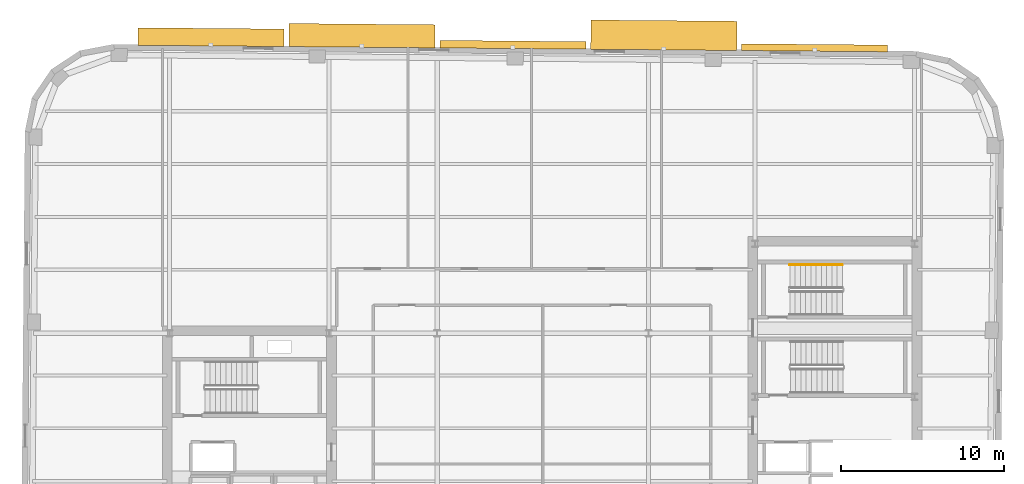
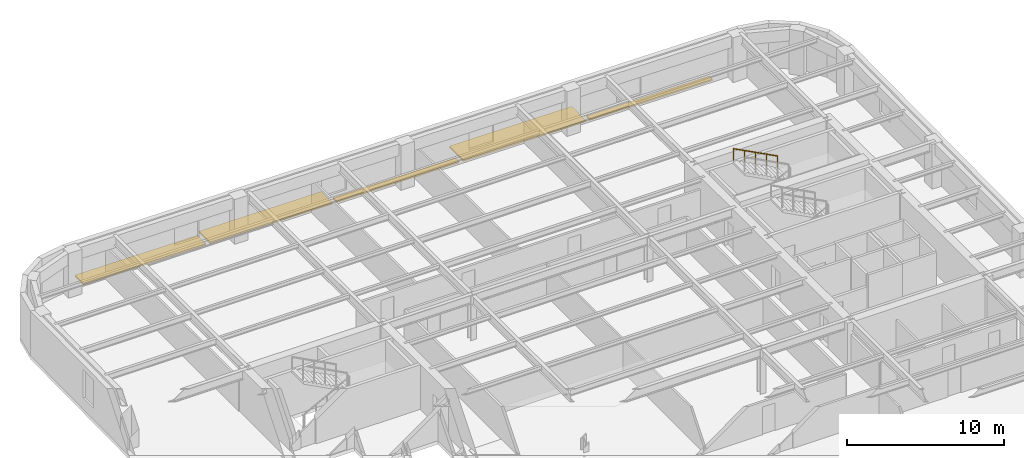
# One storey, part 11 of 11: 5 shading devices, 1 railing.
"""IFC4 building model written with IfcOpenShell, lengths in metres."""

from ifc_helpers import new_model, si_unit, direction, frame, origin, origin_2d, place, context, subcontext, project, spatial, rectangle, circle, extrude, material, type_object, element, save


model = new_model("IFC4")

# Units and contexts
model_context = context("Model", 3, precision=1e-05, world=origin(), true_north=direction((0.0, 1.0)))
body_context = subcontext(model_context, "Body", "Model", "MODEL_VIEW")
ifc_project = project(units=[si_unit("LENGTHUNIT", "METRE"), si_unit("AREAUNIT", "SQUARE_METRE"), si_unit("VOLUMEUNIT", "CUBIC_METRE"), si_unit("PLANEANGLEUNIT", "RADIAN"), si_unit("MASSUNIT", "GRAM", prefix="KILO")], contexts=[model_context])

# Site, building, storey
site_placement = place(None, origin())
site = spatial("IfcSite", under=ifc_project, at=site_placement, CompositionType="ELEMENT")
building_placement = place(site_placement, origin())
building = spatial("IfcBuilding", under=site, at=building_placement, Name="Kolvaren Arena Tower", CompositionType="ELEMENT")
storey_placement = place(building_placement, frame((0.0, 0.0, 203.449951171875)))
storey = spatial("IfcBuildingStorey", under=building, at=storey_placement, Name="L49", CompositionType="ELEMENT", Elevation=203.449951171875)

# Railing
ifc_material_1 = material(Name="Brushed stainless steel handrail", Category="steel")
railing_type = type_object("IfcRailingType", Name="HRAIL-900", PredefinedType="HANDRAIL", material=ifc_material_1)
railing_placement = place(storey_placement, frame((55.919921875, 38.050048828125, 2.04541015625)))
element("IfcRailing", 1, at=railing_placement, inside=storey, type_object=railing_type, Name="L49 ST-E2 stair handrail 2", PredefinedType="HANDRAIL", context=body_context, shape_type="SweptSolid", body=[
    extrude(circle(Radius=0.02392578125, at=origin_2d()), frame((0.0, 0.0, 0.8759765625), z_axis=(-0.884993431791, 0.0, 0.465603506952), x_axis=(0.0, -1.0, 0.0)), (0.0, 0.0, 1.0), 3.6611328125),
    extrude(circle(Radius=0.02099609375, at=origin_2d()), origin(), (0.0, 0.0, 1.0), 0.851806640625),
    extrude(circle(Radius=0.02099609375, at=origin_2d()), frame((-0.81005859375, 0.0, 0.42626953125)), (0.0, 0.0, 1.0), 0.851806640625),
    extrude(circle(Radius=0.02099609375, at=origin_2d()), frame((-1.6201171875, 0.0, 0.852294921875)), (0.0, 0.0, 1.0), 0.851806640625),
    extrude(circle(Radius=0.02099609375, at=origin_2d()), frame((-2.429931640625, 0.0, 1.2783203125)), (0.0, 0.0, 1.0), 0.851806640625),
    extrude(circle(Radius=0.02099609375, at=origin_2d()), frame((-3.239990234375, 0.0, 1.70458984375)), (0.0, 0.0, 1.0), 0.851806640625),
])

# Shading devices
ifc_material_2 = material(Name="Architectural precast GFRC and anodised aluminium sunshade", Category="concrete")
shading_device_type_1 = type_object("IfcShadingDeviceType", Name="SHAD-SINE-A", PredefinedType="USERDEFINED", material=ifc_material_2)
shading_device_1_placement = place(storey_placement, frame((17.093994140625, 52.05126953125, -0.139892578125), z_axis=(0.0, 0.0, 1.0), x_axis=(0.999961923064, -0.008726535498, 0.0)))
element("IfcShadingDevice", 2, at=shading_device_1_placement, inside=storey, type_object=shading_device_type_1, Name="Sinusoidal Slab-Edge Sunshade Louvre (L49)", ObjectType="LOUVRE", PredefinedType="USERDEFINED", context=body_context, shape_type="SweptSolid", body=[
    extrude(rectangle(XDim=8.97998046875, YDim=1.077880859375, at=origin_2d()), origin(), (0.0, 0.0, 1.0), 0.1201171875),
])
shading_device_2_placement = place(storey_placement, frame((35.650390625, 51.582763671875, -0.139892578125), z_axis=(0.0, 0.0, 1.0), x_axis=(0.999961923064, -0.008726535498, 0.0)))
element("IfcShadingDevice", 3, at=shading_device_2_placement, inside=storey, type_object=shading_device_type_1, Name="Sinusoidal Slab-Edge Sunshade Louvre (L49)", ObjectType="LOUVRE", PredefinedType="USERDEFINED", context=body_context, shape_type="SweptSolid", body=[
    extrude(rectangle(XDim=8.97998046875, YDim=0.46435546875, at=origin_2d()), origin(), (0.0, 0.0, 1.0), 0.1201171875),
])
shading_device_3_placement = place(storey_placement, frame((54.209716796875, 51.3974609375, -0.139892578125), z_axis=(0.0, 0.0, 1.0), x_axis=(0.999961923064, -0.008726535498, 0.0)))
element("IfcShadingDevice", 4, at=shading_device_3_placement, inside=storey, type_object=shading_device_type_1, Name="Sinusoidal Slab-Edge Sunshade Louvre (L49)", ObjectType="LOUVRE", PredefinedType="USERDEFINED", context=body_context, shape_type="SweptSolid", body=[
    extrude(rectangle(XDim=8.97998046875, YDim=0.417724609375, at=origin_2d()), origin(), (0.0, 0.0, 1.0), 0.1201171875),
])
shading_device_type_2 = type_object("IfcShadingDeviceType", Name="SHAD-SINE-B", PredefinedType="JALOUSIE", material=ifc_material_2)
shading_device_4_placement = place(storey_placement, frame((26.375, 52.142333984375, -0.139892578125), z_axis=(0.0, 0.0, 1.0), x_axis=(0.999961923064, -0.008726535498, 0.0)))
element("IfcShadingDevice", 5, at=shading_device_4_placement, inside=storey, type_object=shading_device_type_2, Name="Sinusoidal Slab-Edge Sunshade Louvre (L49)", PredefinedType="JALOUSIE", context=body_context, shape_type="SweptSolid", body=[
    extrude(rectangle(XDim=8.97998046875, YDim=1.421875, at=origin_2d()), origin(), (0.0, 0.0, 1.0), 0.1201171875),
])
shading_device_5_placement = place(storey_placement, frame((44.93603515625, 52.168701171875, -0.139892578125), z_axis=(0.0, 0.0, 1.0), x_axis=(0.999961923064, -0.008726535498, 0.0)))
element("IfcShadingDevice", 6, at=shading_device_5_placement, inside=storey, type_object=shading_device_type_2, Name="Sinusoidal Slab-Edge Sunshade Louvre (L49)", PredefinedType="JALOUSIE", context=body_context, shape_type="SweptSolid", body=[
    extrude(rectangle(XDim=8.97998046875, YDim=1.79833984375, at=origin_2d()), origin(), (0.0, 0.0, 1.0), 0.1201171875),
])

save(model, "model.ifc")
